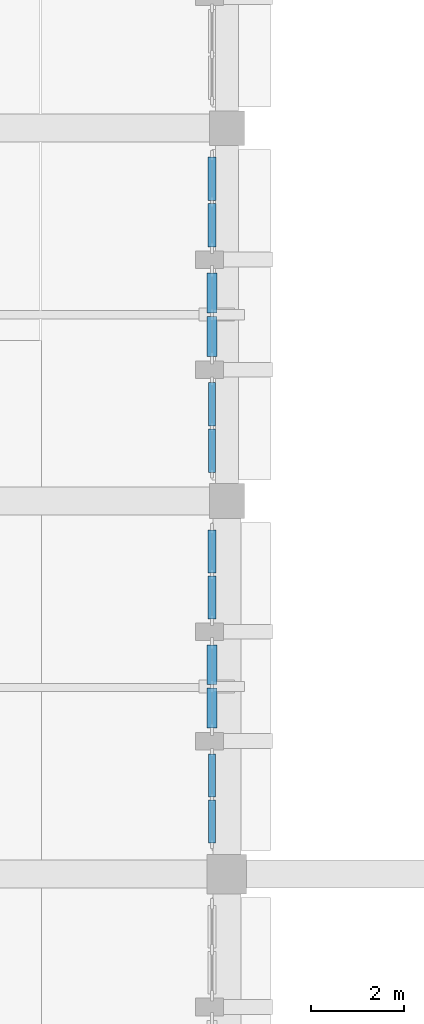
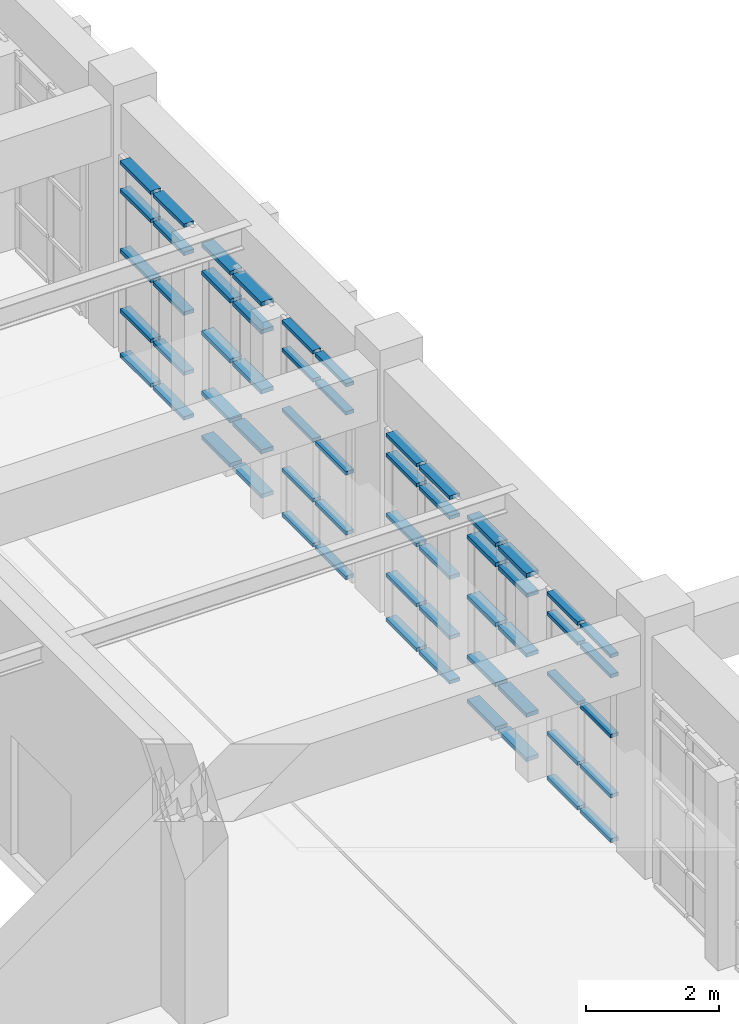
# One storey, part 63 of 155: 60 members, 6 elements without a shape of their own.
"""IFC4 building model written with IfcOpenShell, lengths in metres."""

from ifc_helpers import new_model, si_unit, direction, frame, origin, origin_2d, place, context, subcontext, project, spatial, rectangle, extrude, material, layer, layer_set, material_profile, profile_set, type_object, element, aggregate, save


model = new_model("IFC4")

# Units and contexts
model_context = context("Model", 3, precision=1e-05, world=origin(), true_north=direction((0.0, 1.0)))
body_context = subcontext(model_context, "Body", "Model", "MODEL_VIEW")
ifc_project = project(units=[si_unit("LENGTHUNIT", "METRE"), si_unit("AREAUNIT", "SQUARE_METRE"), si_unit("VOLUMEUNIT", "CUBIC_METRE"), si_unit("PLANEANGLEUNIT", "RADIAN"), si_unit("MASSUNIT", "GRAM", prefix="KILO")], contexts=[model_context])

# Site, building, storey
site_placement = place(None, origin())
site = spatial("IfcSite", under=ifc_project, at=site_placement, CompositionType="ELEMENT")
building_placement = place(site_placement, origin())
building = spatial("IfcBuilding", under=site, at=building_placement, Name="Tazarka Park Arena", CompositionType="ELEMENT")
storey_placement = place(building_placement, frame((0.0, 0.0, 5.39990234375)))
storey = spatial("IfcBuildingStorey", under=building, at=storey_placement, Name="L01", CompositionType="ELEMENT", Elevation=5.39990234375)

# Curtain wall, members
ifc_material_1 = material(Name="Aluminium and low-e glass", Category="aluminium")
ifc_layer_1 = layer(ifc_material_1, 0.179931640625, Name="Aluminium and low-e glass")
ifc_layer_set_1 = layer_set([ifc_layer_1], Name="Aluminium and low-e glass")
curtain_wall_type_1 = type_object("IfcCurtainWallType", Name="CW-24", PredefinedType="NOTDEFINED", material=ifc_layer_set_1)
curtain_wall_1_placement = place(storey_placement, origin())
curtain_wall_1 = element("IfcCurtainWall", 1, at=curtain_wall_1_placement, inside=storey, type_object=curtain_wall_type_1, Name="Curtain Wall CWA-L01-114", PredefinedType="NOTDEFINED")
ifc_material_2 = material(Name="Aluminium 6060-T66", Category="aluminium")
ifc_material_profile_1 = material_profile(ifc_material_2, rectangle(XDim=0.139892578125, YDim=0.06494140625, at=origin_2d()), Name="Aluminium 6060-T66")
ifc_profile_set_1 = profile_set([ifc_material_profile_1], Name="Aluminium 6060-T66")
member_type_1 = type_object("IfcMemberType", Name="CWT-01", PredefinedType="USERDEFINED", material=ifc_profile_set_1)
member_1_placement = place(storey_placement, frame((39.679931640625, 82.57666015625, 0.03271484375), z_axis=(0.0, -1.0, 0.0), x_axis=(1.0, 0.0, 0.0)))
member_1 = element("IfcMember", 2, at=member_1_placement, type_object=member_type_1, Name="CW-24 transom 1.1", ObjectType="TRANSOM", PredefinedType="USERDEFINED", context=body_context, shape_type="SweptSolid", body=[
    extrude(rectangle(XDim=0.139892578125, YDim=0.06494140625, at=origin_2d()), origin(), (0.0, 0.0, 1.0), 0.9208984375),
])
member_2_placement = place(storey_placement, frame((39.679931640625, 82.57666015625, 0.85009765625), z_axis=(0.0, -1.0, 0.0), x_axis=(1.0, 0.0, 0.0)))
member_2 = element("IfcMember", 3, at=member_2_placement, type_object=member_type_1, Name="CW-24 transom 1.2", ObjectType="TRANSOM", PredefinedType="USERDEFINED", context=body_context, shape_type="SweptSolid", body=[
    extrude(rectangle(XDim=0.139892578125, YDim=0.06494140625, at=origin_2d()), origin(), (0.0, 0.0, 1.0), 0.9208984375),
])
member_3_placement = place(storey_placement, frame((39.679931640625, 82.57666015625, 1.9501953125), z_axis=(0.0, -1.0, 0.0), x_axis=(1.0, 0.0, 0.0)))
member_3 = element("IfcMember", 4, at=member_3_placement, type_object=member_type_1, Name="CW-24 transom 1.3", ObjectType="TRANSOM", PredefinedType="USERDEFINED", context=body_context, shape_type="SweptSolid", body=[
    extrude(rectangle(XDim=0.139892578125, YDim=0.06494140625, at=origin_2d()), origin(), (0.0, 0.0, 1.0), 0.9208984375),
])
member_4_placement = place(storey_placement, frame((39.679931640625, 82.57666015625, 3.050048828125), z_axis=(0.0, -1.0, 0.0), x_axis=(1.0, 0.0, 0.0)))
member_4 = element("IfcMember", 5, at=member_4_placement, type_object=member_type_1, Name="CW-24 transom 1.4", ObjectType="TRANSOM", PredefinedType="USERDEFINED", context=body_context, shape_type="SweptSolid", body=[
    extrude(rectangle(XDim=0.139892578125, YDim=0.06494140625, at=origin_2d()), origin(), (0.0, 0.0, 1.0), 0.9208984375),
])
member_5_placement = place(storey_placement, frame((39.679931640625, 82.57666015625, 3.41748046875), z_axis=(0.0, -1.0, 0.0), x_axis=(1.0, 0.0, 0.0)))
member_5 = element("IfcMember", 6, at=member_5_placement, type_object=member_type_1, Name="CW-24 transom 1.5", ObjectType="TRANSOM", PredefinedType="USERDEFINED", context=body_context, shape_type="SweptSolid", body=[
    extrude(rectangle(XDim=0.139892578125, YDim=0.06494140625, at=origin_2d()), origin(), (0.0, 0.0, 1.0), 0.9208984375),
])
member_6_placement = place(storey_placement, frame((39.679931640625, 81.5908203125, 0.03271484375), z_axis=(0.0, -1.0, 0.0), x_axis=(1.0, 0.0, 0.0)))
member_6 = element("IfcMember", 7, at=member_6_placement, type_object=member_type_1, Name="CW-24 transom 2.1", ObjectType="TRANSOM", PredefinedType="USERDEFINED", context=body_context, shape_type="SweptSolid", body=[
    extrude(rectangle(XDim=0.139892578125, YDim=0.06494140625, at=origin_2d()), origin(), (0.0, 0.0, 1.0), 0.9208984375),
])
member_7_placement = place(storey_placement, frame((39.679931640625, 81.5908203125, 0.85009765625), z_axis=(0.0, -1.0, 0.0), x_axis=(1.0, 0.0, 0.0)))
member_7 = element("IfcMember", 8, at=member_7_placement, type_object=member_type_1, Name="CW-24 transom 2.2", ObjectType="TRANSOM", PredefinedType="USERDEFINED", context=body_context, shape_type="SweptSolid", body=[
    extrude(rectangle(XDim=0.139892578125, YDim=0.06494140625, at=origin_2d()), origin(), (0.0, 0.0, 1.0), 0.9208984375),
])
member_8_placement = place(storey_placement, frame((39.679931640625, 81.5908203125, 1.9501953125), z_axis=(0.0, -1.0, 0.0), x_axis=(1.0, 0.0, 0.0)))
member_8 = element("IfcMember", 9, at=member_8_placement, type_object=member_type_1, Name="CW-24 transom 2.3", ObjectType="TRANSOM", PredefinedType="USERDEFINED", context=body_context, shape_type="SweptSolid", body=[
    extrude(rectangle(XDim=0.139892578125, YDim=0.06494140625, at=origin_2d()), origin(), (0.0, 0.0, 1.0), 0.9208984375),
])
member_9_placement = place(storey_placement, frame((39.679931640625, 81.5908203125, 3.050048828125), z_axis=(0.0, -1.0, 0.0), x_axis=(1.0, 0.0, 0.0)))
member_9 = element("IfcMember", 10, at=member_9_placement, type_object=member_type_1, Name="CW-24 transom 2.4", ObjectType="TRANSOM", PredefinedType="USERDEFINED", context=body_context, shape_type="SweptSolid", body=[
    extrude(rectangle(XDim=0.139892578125, YDim=0.06494140625, at=origin_2d()), origin(), (0.0, 0.0, 1.0), 0.9208984375),
])
member_10_placement = place(storey_placement, frame((39.679931640625, 81.5908203125, 3.41748046875), z_axis=(0.0, -1.0, 0.0), x_axis=(1.0, 0.0, 0.0)))
member_10 = element("IfcMember", 11, at=member_10_placement, type_object=member_type_1, Name="CW-24 transom 2.5", ObjectType="TRANSOM", PredefinedType="USERDEFINED", context=body_context, shape_type="SweptSolid", body=[
    extrude(rectangle(XDim=0.139892578125, YDim=0.06494140625, at=origin_2d()), origin(), (0.0, 0.0, 1.0), 0.9208984375),
])
aggregate(curtain_wall_1, [member_1, member_2, member_3, member_4, member_5, member_6, member_7, member_8, member_9, member_10])

ifc_material_3 = material(Name="Aluminium and low-e glass", Category="aluminium")
ifc_layer_2 = layer(ifc_material_3, 0.179931640625, Name="Aluminium and low-e glass")
ifc_layer_set_2 = layer_set([ifc_layer_2], Name="Aluminium and low-e glass")
curtain_wall_type_2 = type_object("IfcCurtainWallType", Name="CW-27", PredefinedType="NOTDEFINED", material=ifc_layer_set_2)
curtain_wall_2_placement = place(storey_placement, origin())
curtain_wall_2 = element("IfcCurtainWall", 12, at=curtain_wall_2_placement, inside=storey, type_object=curtain_wall_type_2, Name="Curtain Wall CWA-L01-117", PredefinedType="NOTDEFINED")
member_11_placement = place(storey_placement, frame((39.679931640625, 90.543212890625, 0.03271484375), z_axis=(0.0, -1.0, 0.0), x_axis=(1.0, 0.0, 0.0)))
member_11 = element("IfcMember", 13, at=member_11_placement, type_object=member_type_1, Name="CW-27 transom 1.1", ObjectType="TRANSOM", PredefinedType="USERDEFINED", context=body_context, shape_type="SweptSolid", body=[
    extrude(rectangle(XDim=0.139892578125, YDim=0.06494140625, at=origin_2d()), origin(), (0.0, 0.0, 1.0), 0.928955078125),
])
member_12_placement = place(storey_placement, frame((39.679931640625, 90.543212890625, 0.85009765625), z_axis=(0.0, -1.0, 0.0), x_axis=(1.0, 0.0, 0.0)))
member_12 = element("IfcMember", 14, at=member_12_placement, type_object=member_type_1, Name="CW-27 transom 1.2", ObjectType="TRANSOM", PredefinedType="USERDEFINED", context=body_context, shape_type="SweptSolid", body=[
    extrude(rectangle(XDim=0.139892578125, YDim=0.06494140625, at=origin_2d()), origin(), (0.0, 0.0, 1.0), 0.928955078125),
])
member_13_placement = place(storey_placement, frame((39.679931640625, 90.543212890625, 1.9501953125), z_axis=(0.0, -1.0, 0.0), x_axis=(1.0, 0.0, 0.0)))
member_13 = element("IfcMember", 15, at=member_13_placement, type_object=member_type_1, Name="CW-27 transom 1.3", ObjectType="TRANSOM", PredefinedType="USERDEFINED", context=body_context, shape_type="SweptSolid", body=[
    extrude(rectangle(XDim=0.139892578125, YDim=0.06494140625, at=origin_2d()), origin(), (0.0, 0.0, 1.0), 0.928955078125),
])
member_14_placement = place(storey_placement, frame((39.679931640625, 90.543212890625, 3.050048828125), z_axis=(0.0, -1.0, 0.0), x_axis=(1.0, 0.0, 0.0)))
member_14 = element("IfcMember", 16, at=member_14_placement, type_object=member_type_1, Name="CW-27 transom 1.4", ObjectType="TRANSOM", PredefinedType="USERDEFINED", context=body_context, shape_type="SweptSolid", body=[
    extrude(rectangle(XDim=0.139892578125, YDim=0.06494140625, at=origin_2d()), origin(), (0.0, 0.0, 1.0), 0.928955078125),
])
member_15_placement = place(storey_placement, frame((39.679931640625, 90.543212890625, 3.567626953125), z_axis=(0.0, -1.0, 0.0), x_axis=(1.0, 0.0, 0.0)))
member_15 = element("IfcMember", 17, at=member_15_placement, type_object=member_type_1, Name="CW-27 transom 1.5", ObjectType="TRANSOM", PredefinedType="USERDEFINED", context=body_context, shape_type="SweptSolid", body=[
    extrude(rectangle(XDim=0.139892578125, YDim=0.06494140625, at=origin_2d()), origin(), (0.0, 0.0, 1.0), 0.928955078125),
])
member_16_placement = place(storey_placement, frame((39.679931640625, 89.549072265625, 0.03271484375), z_axis=(0.0, -1.0, 0.0), x_axis=(1.0, 0.0, 0.0)))
member_16 = element("IfcMember", 18, at=member_16_placement, type_object=member_type_1, Name="CW-27 transom 2.1", ObjectType="TRANSOM", PredefinedType="USERDEFINED", context=body_context, shape_type="SweptSolid", body=[
    extrude(rectangle(XDim=0.139892578125, YDim=0.06494140625, at=origin_2d()), origin(), (0.0, 0.0, 1.0), 0.928955078125),
])
member_17_placement = place(storey_placement, frame((39.679931640625, 89.549072265625, 0.85009765625), z_axis=(0.0, -1.0, 0.0), x_axis=(1.0, 0.0, 0.0)))
member_17 = element("IfcMember", 19, at=member_17_placement, type_object=member_type_1, Name="CW-27 transom 2.2", ObjectType="TRANSOM", PredefinedType="USERDEFINED", context=body_context, shape_type="SweptSolid", body=[
    extrude(rectangle(XDim=0.139892578125, YDim=0.06494140625, at=origin_2d()), origin(), (0.0, 0.0, 1.0), 0.928955078125),
])
member_18_placement = place(storey_placement, frame((39.679931640625, 89.549072265625, 1.9501953125), z_axis=(0.0, -1.0, 0.0), x_axis=(1.0, 0.0, 0.0)))
member_18 = element("IfcMember", 20, at=member_18_placement, type_object=member_type_1, Name="CW-27 transom 2.3", ObjectType="TRANSOM", PredefinedType="USERDEFINED", context=body_context, shape_type="SweptSolid", body=[
    extrude(rectangle(XDim=0.139892578125, YDim=0.06494140625, at=origin_2d()), origin(), (0.0, 0.0, 1.0), 0.928955078125),
])
member_19_placement = place(storey_placement, frame((39.679931640625, 89.549072265625, 3.050048828125), z_axis=(0.0, -1.0, 0.0), x_axis=(1.0, 0.0, 0.0)))
member_19 = element("IfcMember", 21, at=member_19_placement, type_object=member_type_1, Name="CW-27 transom 2.4", ObjectType="TRANSOM", PredefinedType="USERDEFINED", context=body_context, shape_type="SweptSolid", body=[
    extrude(rectangle(XDim=0.139892578125, YDim=0.06494140625, at=origin_2d()), origin(), (0.0, 0.0, 1.0), 0.928955078125),
])
member_20_placement = place(storey_placement, frame((39.679931640625, 89.549072265625, 3.567626953125), z_axis=(0.0, -1.0, 0.0), x_axis=(1.0, 0.0, 0.0)))
member_20 = element("IfcMember", 22, at=member_20_placement, type_object=member_type_1, Name="CW-27 transom 2.5", ObjectType="TRANSOM", PredefinedType="USERDEFINED", context=body_context, shape_type="SweptSolid", body=[
    extrude(rectangle(XDim=0.139892578125, YDim=0.06494140625, at=origin_2d()), origin(), (0.0, 0.0, 1.0), 0.928955078125),
])
aggregate(curtain_wall_2, [member_11, member_12, member_13, member_14, member_15, member_16, member_17, member_18, member_19, member_20])

ifc_material_4 = material(Name="Aluminium and low-e glass", Category="aluminium")
ifc_layer_3 = layer(ifc_material_4, 0.179931640625, Name="Aluminium and low-e glass")
ifc_layer_set_3 = layer_set([ifc_layer_3], Name="Aluminium and low-e glass")
curtain_wall_type_3 = type_object("IfcCurtainWallType", Name="CW-22", PredefinedType="NOTDEFINED", material=ifc_layer_set_3)
curtain_wall_3_placement = place(storey_placement, origin())
curtain_wall_3 = element("IfcCurtainWall", 23, at=curtain_wall_3_placement, inside=storey, type_object=curtain_wall_type_3, Name="Curtain Wall CWA-L01-112", PredefinedType="NOTDEFINED")
ifc_material_5 = material(Name="Aluminium 6060-T66", Category="aluminium")
ifc_material_profile_2 = material_profile(ifc_material_5, rectangle(XDim=0.179931640625, YDim=0.06494140625, at=origin_2d()), Name="Aluminium 6060-T66")
ifc_profile_set_2 = profile_set([ifc_material_profile_2], Name="Aluminium 6060-T66")
member_type_2 = type_object("IfcMemberType", Name="CWT-02", PredefinedType="USERDEFINED", material=ifc_profile_set_2)
member_21_placement = place(storey_placement, frame((39.679931640625, 87.3798828125, 0.03271484375), z_axis=(0.0, -1.0, 0.0), x_axis=(1.0, 0.0, 0.0)))
member_21 = element("IfcMember", 24, at=member_21_placement, type_object=member_type_2, Name="CW-22 transom 1.1", ObjectType="TRANSOM", PredefinedType="USERDEFINED", context=body_context, shape_type="SweptSolid", body=[
    extrude(rectangle(XDim=0.179931640625, YDim=0.06494140625, at=origin_2d()), origin(), (0.0, 0.0, 1.0), 0.920654296875),
])
member_22_placement = place(storey_placement, frame((39.679931640625, 87.3798828125, 0.85009765625), z_axis=(0.0, -1.0, 0.0), x_axis=(1.0, 0.0, 0.0)))
member_22 = element("IfcMember", 25, at=member_22_placement, type_object=member_type_2, Name="CW-22 transom 1.2", ObjectType="TRANSOM", PredefinedType="USERDEFINED", context=body_context, shape_type="SweptSolid", body=[
    extrude(rectangle(XDim=0.179931640625, YDim=0.06494140625, at=origin_2d()), origin(), (0.0, 0.0, 1.0), 0.920654296875),
])
member_23_placement = place(storey_placement, frame((39.679931640625, 87.3798828125, 1.9501953125), z_axis=(0.0, -1.0, 0.0), x_axis=(1.0, 0.0, 0.0)))
member_23 = element("IfcMember", 26, at=member_23_placement, type_object=member_type_2, Name="CW-22 transom 1.3", ObjectType="TRANSOM", PredefinedType="USERDEFINED", context=body_context, shape_type="SweptSolid", body=[
    extrude(rectangle(XDim=0.179931640625, YDim=0.06494140625, at=origin_2d()), origin(), (0.0, 0.0, 1.0), 0.920654296875),
])
member_24_placement = place(storey_placement, frame((39.679931640625, 87.3798828125, 3.050048828125), z_axis=(0.0, -1.0, 0.0), x_axis=(1.0, 0.0, 0.0)))
member_24 = element("IfcMember", 27, at=member_24_placement, type_object=member_type_2, Name="CW-22 transom 1.4", ObjectType="TRANSOM", PredefinedType="USERDEFINED", context=body_context, shape_type="SweptSolid", body=[
    extrude(rectangle(XDim=0.179931640625, YDim=0.06494140625, at=origin_2d()), origin(), (0.0, 0.0, 1.0), 0.920654296875),
])
member_25_placement = place(storey_placement, frame((39.679931640625, 87.3798828125, 3.41748046875), z_axis=(0.0, -1.0, 0.0), x_axis=(1.0, 0.0, 0.0)))
member_25 = element("IfcMember", 28, at=member_25_placement, type_object=member_type_2, Name="CW-22 transom 1.5", ObjectType="TRANSOM", PredefinedType="USERDEFINED", context=body_context, shape_type="SweptSolid", body=[
    extrude(rectangle(XDim=0.179931640625, YDim=0.06494140625, at=origin_2d()), origin(), (0.0, 0.0, 1.0), 0.920654296875),
])
member_26_placement = place(storey_placement, frame((39.679931640625, 86.39404296875, 0.03271484375), z_axis=(0.0, -1.0, 0.0), x_axis=(1.0, 0.0, 0.0)))
member_26 = element("IfcMember", 29, at=member_26_placement, type_object=member_type_2, Name="CW-22 transom 2.1", ObjectType="TRANSOM", PredefinedType="USERDEFINED", context=body_context, shape_type="SweptSolid", body=[
    extrude(rectangle(XDim=0.179931640625, YDim=0.06494140625, at=origin_2d()), origin(), (0.0, 0.0, 1.0), 0.920654296875),
])
member_27_placement = place(storey_placement, frame((39.679931640625, 86.39404296875, 0.85009765625), z_axis=(0.0, -1.0, 0.0), x_axis=(1.0, 0.0, 0.0)))
member_27 = element("IfcMember", 30, at=member_27_placement, type_object=member_type_2, Name="CW-22 transom 2.2", ObjectType="TRANSOM", PredefinedType="USERDEFINED", context=body_context, shape_type="SweptSolid", body=[
    extrude(rectangle(XDim=0.179931640625, YDim=0.06494140625, at=origin_2d()), origin(), (0.0, 0.0, 1.0), 0.920654296875),
])
member_28_placement = place(storey_placement, frame((39.679931640625, 86.39404296875, 1.9501953125), z_axis=(0.0, -1.0, 0.0), x_axis=(1.0, 0.0, 0.0)))
member_28 = element("IfcMember", 31, at=member_28_placement, type_object=member_type_2, Name="CW-22 transom 2.3", ObjectType="TRANSOM", PredefinedType="USERDEFINED", context=body_context, shape_type="SweptSolid", body=[
    extrude(rectangle(XDim=0.179931640625, YDim=0.06494140625, at=origin_2d()), origin(), (0.0, 0.0, 1.0), 0.920654296875),
])
member_29_placement = place(storey_placement, frame((39.679931640625, 86.39404296875, 3.050048828125), z_axis=(0.0, -1.0, 0.0), x_axis=(1.0, 0.0, 0.0)))
member_29 = element("IfcMember", 32, at=member_29_placement, type_object=member_type_2, Name="CW-22 transom 2.4", ObjectType="TRANSOM", PredefinedType="USERDEFINED", context=body_context, shape_type="SweptSolid", body=[
    extrude(rectangle(XDim=0.179931640625, YDim=0.06494140625, at=origin_2d()), origin(), (0.0, 0.0, 1.0), 0.920654296875),
])
member_30_placement = place(storey_placement, frame((39.679931640625, 86.39404296875, 3.41748046875), z_axis=(0.0, -1.0, 0.0), x_axis=(1.0, 0.0, 0.0)))
member_30 = element("IfcMember", 33, at=member_30_placement, type_object=member_type_2, Name="CW-22 transom 2.5", ObjectType="TRANSOM", PredefinedType="USERDEFINED", context=body_context, shape_type="SweptSolid", body=[
    extrude(rectangle(XDim=0.179931640625, YDim=0.06494140625, at=origin_2d()), origin(), (0.0, 0.0, 1.0), 0.920654296875),
])
aggregate(curtain_wall_3, [member_21, member_22, member_23, member_24, member_25, member_26, member_27, member_28, member_29, member_30])

ifc_material_6 = material(Name="Aluminium and low-e glass", Category="aluminium")
ifc_layer_4 = layer(ifc_material_6, 0.179931640625, Name="Aluminium and low-e glass")
ifc_layer_set_4 = layer_set([ifc_layer_4], Name="Aluminium and low-e glass")
curtain_wall_type_4 = type_object("IfcCurtainWallType", Name="CW-25", PredefinedType="NOTDEFINED", material=ifc_layer_set_4)
curtain_wall_4_placement = place(storey_placement, origin())
curtain_wall_4 = element("IfcCurtainWall", 34, at=curtain_wall_4_placement, inside=storey, type_object=curtain_wall_type_4, Name="Curtain Wall CWA-L01-115", PredefinedType="NOTDEFINED")
member_31_placement = place(storey_placement, frame((39.679931640625, 95.3798828125, 0.03271484375), z_axis=(0.0, -1.0, 0.0), x_axis=(1.0, 0.0, 0.0)))
member_31 = element("IfcMember", 35, at=member_31_placement, type_object=member_type_2, Name="CW-25 transom 1.1", ObjectType="TRANSOM", PredefinedType="USERDEFINED", context=body_context, shape_type="SweptSolid", body=[
    extrude(rectangle(XDim=0.179931640625, YDim=0.06494140625, at=origin_2d()), origin(), (0.0, 0.0, 1.0), 0.928955078125),
])
member_32_placement = place(storey_placement, frame((39.679931640625, 95.3798828125, 0.85009765625), z_axis=(0.0, -1.0, 0.0), x_axis=(1.0, 0.0, 0.0)))
member_32 = element("IfcMember", 36, at=member_32_placement, type_object=member_type_2, Name="CW-25 transom 1.2", ObjectType="TRANSOM", PredefinedType="USERDEFINED", context=body_context, shape_type="SweptSolid", body=[
    extrude(rectangle(XDim=0.179931640625, YDim=0.06494140625, at=origin_2d()), origin(), (0.0, 0.0, 1.0), 0.928955078125),
])
member_33_placement = place(storey_placement, frame((39.679931640625, 95.3798828125, 1.9501953125), z_axis=(0.0, -1.0, 0.0), x_axis=(1.0, 0.0, 0.0)))
member_33 = element("IfcMember", 37, at=member_33_placement, type_object=member_type_2, Name="CW-25 transom 1.3", ObjectType="TRANSOM", PredefinedType="USERDEFINED", context=body_context, shape_type="SweptSolid", body=[
    extrude(rectangle(XDim=0.179931640625, YDim=0.06494140625, at=origin_2d()), origin(), (0.0, 0.0, 1.0), 0.928955078125),
])
member_34_placement = place(storey_placement, frame((39.679931640625, 95.3798828125, 3.050048828125), z_axis=(0.0, -1.0, 0.0), x_axis=(1.0, 0.0, 0.0)))
member_34 = element("IfcMember", 38, at=member_34_placement, type_object=member_type_2, Name="CW-25 transom 1.4", ObjectType="TRANSOM", PredefinedType="USERDEFINED", context=body_context, shape_type="SweptSolid", body=[
    extrude(rectangle(XDim=0.179931640625, YDim=0.06494140625, at=origin_2d()), origin(), (0.0, 0.0, 1.0), 0.928955078125),
])
member_35_placement = place(storey_placement, frame((39.679931640625, 95.3798828125, 3.567626953125), z_axis=(0.0, -1.0, 0.0), x_axis=(1.0, 0.0, 0.0)))
member_35 = element("IfcMember", 39, at=member_35_placement, type_object=member_type_2, Name="CW-25 transom 1.5", ObjectType="TRANSOM", PredefinedType="USERDEFINED", context=body_context, shape_type="SweptSolid", body=[
    extrude(rectangle(XDim=0.179931640625, YDim=0.06494140625, at=origin_2d()), origin(), (0.0, 0.0, 1.0), 0.928955078125),
])
member_36_placement = place(storey_placement, frame((39.679931640625, 94.3857421875, 0.03271484375), z_axis=(0.0, -1.0, 0.0), x_axis=(1.0, 0.0, 0.0)))
member_36 = element("IfcMember", 40, at=member_36_placement, type_object=member_type_2, Name="CW-25 transom 2.1", ObjectType="TRANSOM", PredefinedType="USERDEFINED", context=body_context, shape_type="SweptSolid", body=[
    extrude(rectangle(XDim=0.179931640625, YDim=0.06494140625, at=origin_2d()), origin(), (0.0, 0.0, 1.0), 0.928955078125),
])
member_37_placement = place(storey_placement, frame((39.679931640625, 94.3857421875, 0.85009765625), z_axis=(0.0, -1.0, 0.0), x_axis=(1.0, 0.0, 0.0)))
member_37 = element("IfcMember", 41, at=member_37_placement, type_object=member_type_2, Name="CW-25 transom 2.2", ObjectType="TRANSOM", PredefinedType="USERDEFINED", context=body_context, shape_type="SweptSolid", body=[
    extrude(rectangle(XDim=0.179931640625, YDim=0.06494140625, at=origin_2d()), origin(), (0.0, 0.0, 1.0), 0.928955078125),
])
member_38_placement = place(storey_placement, frame((39.679931640625, 94.3857421875, 1.9501953125), z_axis=(0.0, -1.0, 0.0), x_axis=(1.0, 0.0, 0.0)))
member_38 = element("IfcMember", 42, at=member_38_placement, type_object=member_type_2, Name="CW-25 transom 2.3", ObjectType="TRANSOM", PredefinedType="USERDEFINED", context=body_context, shape_type="SweptSolid", body=[
    extrude(rectangle(XDim=0.179931640625, YDim=0.06494140625, at=origin_2d()), origin(), (0.0, 0.0, 1.0), 0.928955078125),
])
member_39_placement = place(storey_placement, frame((39.679931640625, 94.3857421875, 3.050048828125), z_axis=(0.0, -1.0, 0.0), x_axis=(1.0, 0.0, 0.0)))
member_39 = element("IfcMember", 43, at=member_39_placement, type_object=member_type_2, Name="CW-25 transom 2.4", ObjectType="TRANSOM", PredefinedType="USERDEFINED", context=body_context, shape_type="SweptSolid", body=[
    extrude(rectangle(XDim=0.179931640625, YDim=0.06494140625, at=origin_2d()), origin(), (0.0, 0.0, 1.0), 0.928955078125),
])
member_40_placement = place(storey_placement, frame((39.679931640625, 94.3857421875, 3.567626953125), z_axis=(0.0, -1.0, 0.0), x_axis=(1.0, 0.0, 0.0)))
member_40 = element("IfcMember", 44, at=member_40_placement, type_object=member_type_2, Name="CW-25 transom 2.5", ObjectType="TRANSOM", PredefinedType="USERDEFINED", context=body_context, shape_type="SweptSolid", body=[
    extrude(rectangle(XDim=0.179931640625, YDim=0.06494140625, at=origin_2d()), origin(), (0.0, 0.0, 1.0), 0.928955078125),
])
aggregate(curtain_wall_4, [member_31, member_32, member_33, member_34, member_35, member_36, member_37, member_38, member_39, member_40])

ifc_material_7 = material(Name="Aluminium and low-e glass", Category="aluminium")
ifc_layer_5 = layer(ifc_material_7, 0.179931640625, Name="Aluminium and low-e glass")
ifc_layer_set_5 = layer_set([ifc_layer_5], Name="Aluminium and low-e glass")
curtain_wall_type_5 = type_object("IfcCurtainWallType", Name="CW-23", PredefinedType="NOTDEFINED", material=ifc_layer_set_5)
curtain_wall_5_placement = place(storey_placement, origin())
curtain_wall_5 = element("IfcCurtainWall", 45, at=curtain_wall_5_placement, inside=storey, type_object=curtain_wall_type_5, Name="Curtain Wall CWA-L01-113", PredefinedType="NOTDEFINED")
ifc_material_8 = material(Name="Aluminium 6060-T66", Category="aluminium")
ifc_material_profile_3 = material_profile(ifc_material_8, rectangle(XDim=0.2099609375, YDim=0.074951171875, at=origin_2d()), Name="Aluminium 6060-T66")
ifc_profile_set_3 = profile_set([ifc_material_profile_3], Name="Aluminium 6060-T66")
member_type_3 = type_object("IfcMemberType", Name="CWT-03", PredefinedType="USERDEFINED", material=ifc_profile_set_3)
member_41_placement = place(storey_placement, frame((39.679931640625, 84.913330078125, 0.03759765625), z_axis=(0.0, -1.0, 0.0), x_axis=(1.0, 0.0, 0.0)))
member_41 = element("IfcMember", 46, at=member_41_placement, type_object=member_type_3, Name="CW-23 transom 1.1", ObjectType="TRANSOM", PredefinedType="USERDEFINED", context=body_context, shape_type="SweptSolid", body=[
    extrude(rectangle(XDim=0.2099609375, YDim=0.074951171875, at=origin_2d()), origin(), (0.0, 0.0, 1.0), 0.850830078125),
])
member_42_placement = place(storey_placement, frame((39.679931640625, 84.913330078125, 0.85009765625), z_axis=(0.0, -1.0, 0.0), x_axis=(1.0, 0.0, 0.0)))
member_42 = element("IfcMember", 47, at=member_42_placement, type_object=member_type_3, Name="CW-23 transom 1.2", ObjectType="TRANSOM", PredefinedType="USERDEFINED", context=body_context, shape_type="SweptSolid", body=[
    extrude(rectangle(XDim=0.2099609375, YDim=0.074951171875, at=origin_2d()), origin(), (0.0, 0.0, 1.0), 0.850830078125),
])
member_43_placement = place(storey_placement, frame((39.679931640625, 84.913330078125, 1.9501953125), z_axis=(0.0, -1.0, 0.0), x_axis=(1.0, 0.0, 0.0)))
member_43 = element("IfcMember", 48, at=member_43_placement, type_object=member_type_3, Name="CW-23 transom 1.3", ObjectType="TRANSOM", PredefinedType="USERDEFINED", context=body_context, shape_type="SweptSolid", body=[
    extrude(rectangle(XDim=0.2099609375, YDim=0.074951171875, at=origin_2d()), origin(), (0.0, 0.0, 1.0), 0.850830078125),
])
member_44_placement = place(storey_placement, frame((39.679931640625, 84.913330078125, 3.050048828125), z_axis=(0.0, -1.0, 0.0), x_axis=(1.0, 0.0, 0.0)))
member_44 = element("IfcMember", 49, at=member_44_placement, type_object=member_type_3, Name="CW-23 transom 1.4", ObjectType="TRANSOM", PredefinedType="USERDEFINED", context=body_context, shape_type="SweptSolid", body=[
    extrude(rectangle(XDim=0.2099609375, YDim=0.074951171875, at=origin_2d()), origin(), (0.0, 0.0, 1.0), 0.850830078125),
])
member_45_placement = place(storey_placement, frame((39.679931640625, 84.913330078125, 3.41259765625), z_axis=(0.0, -1.0, 0.0), x_axis=(1.0, 0.0, 0.0)))
member_45 = element("IfcMember", 50, at=member_45_placement, type_object=member_type_3, Name="CW-23 transom 1.5", ObjectType="TRANSOM", PredefinedType="USERDEFINED", context=body_context, shape_type="SweptSolid", body=[
    extrude(rectangle(XDim=0.2099609375, YDim=0.074951171875, at=origin_2d()), origin(), (0.0, 0.0, 1.0), 0.850830078125),
])
member_46_placement = place(storey_placement, frame((39.679931640625, 83.987548828125, 0.03759765625), z_axis=(0.0, -1.0, 0.0), x_axis=(1.0, 0.0, 0.0)))
member_46 = element("IfcMember", 51, at=member_46_placement, type_object=member_type_3, Name="CW-23 transom 2.1", ObjectType="TRANSOM", PredefinedType="USERDEFINED", context=body_context, shape_type="SweptSolid", body=[
    extrude(rectangle(XDim=0.2099609375, YDim=0.074951171875, at=origin_2d()), origin(), (0.0, 0.0, 1.0), 0.850830078125),
])
member_47_placement = place(storey_placement, frame((39.679931640625, 83.987548828125, 0.85009765625), z_axis=(0.0, -1.0, 0.0), x_axis=(1.0, 0.0, 0.0)))
member_47 = element("IfcMember", 52, at=member_47_placement, type_object=member_type_3, Name="CW-23 transom 2.2", ObjectType="TRANSOM", PredefinedType="USERDEFINED", context=body_context, shape_type="SweptSolid", body=[
    extrude(rectangle(XDim=0.2099609375, YDim=0.074951171875, at=origin_2d()), origin(), (0.0, 0.0, 1.0), 0.850830078125),
])
member_48_placement = place(storey_placement, frame((39.679931640625, 83.987548828125, 1.9501953125), z_axis=(0.0, -1.0, 0.0), x_axis=(1.0, 0.0, 0.0)))
member_48 = element("IfcMember", 53, at=member_48_placement, type_object=member_type_3, Name="CW-23 transom 2.3", ObjectType="TRANSOM", PredefinedType="USERDEFINED", context=body_context, shape_type="SweptSolid", body=[
    extrude(rectangle(XDim=0.2099609375, YDim=0.074951171875, at=origin_2d()), origin(), (0.0, 0.0, 1.0), 0.850830078125),
])
member_49_placement = place(storey_placement, frame((39.679931640625, 83.987548828125, 3.050048828125), z_axis=(0.0, -1.0, 0.0), x_axis=(1.0, 0.0, 0.0)))
member_49 = element("IfcMember", 54, at=member_49_placement, type_object=member_type_3, Name="CW-23 transom 2.4", ObjectType="TRANSOM", PredefinedType="USERDEFINED", context=body_context, shape_type="SweptSolid", body=[
    extrude(rectangle(XDim=0.2099609375, YDim=0.074951171875, at=origin_2d()), origin(), (0.0, 0.0, 1.0), 0.850830078125),
])
member_50_placement = place(storey_placement, frame((39.679931640625, 83.987548828125, 3.41259765625), z_axis=(0.0, -1.0, 0.0), x_axis=(1.0, 0.0, 0.0)))
member_50 = element("IfcMember", 55, at=member_50_placement, type_object=member_type_3, Name="CW-23 transom 2.5", ObjectType="TRANSOM", PredefinedType="USERDEFINED", context=body_context, shape_type="SweptSolid", body=[
    extrude(rectangle(XDim=0.2099609375, YDim=0.074951171875, at=origin_2d()), origin(), (0.0, 0.0, 1.0), 0.850830078125),
])
aggregate(curtain_wall_5, [member_41, member_42, member_43, member_44, member_45, member_46, member_47, member_48, member_49, member_50])

ifc_material_9 = material(Name="Aluminium and low-e glass", Category="aluminium")
ifc_layer_6 = layer(ifc_material_9, 0.179931640625, Name="Aluminium and low-e glass")
ifc_layer_set_6 = layer_set([ifc_layer_6], Name="Aluminium and low-e glass")
curtain_wall_type_6 = type_object("IfcCurtainWallType", Name="CW-26", PredefinedType="NOTDEFINED", material=ifc_layer_set_6)
curtain_wall_6_placement = place(storey_placement, origin())
curtain_wall_6 = element("IfcCurtainWall", 56, at=curtain_wall_6_placement, inside=storey, type_object=curtain_wall_type_6, Name="Curtain Wall CWA-L01-116", PredefinedType="NOTDEFINED")
member_51_placement = place(storey_placement, frame((39.679931640625, 92.896728515625, 0.03759765625), z_axis=(0.0, -1.0, 0.0), x_axis=(1.0, 0.0, 0.0)))
member_51 = element("IfcMember", 57, at=member_51_placement, type_object=member_type_3, Name="CW-26 transom 1.1", ObjectType="TRANSOM", PredefinedType="USERDEFINED", context=body_context, shape_type="SweptSolid", body=[
    extrude(rectangle(XDim=0.2099609375, YDim=0.074951171875, at=origin_2d()), origin(), (0.0, 0.0, 1.0), 0.859130859375),
])
member_52_placement = place(storey_placement, frame((39.679931640625, 92.896728515625, 0.85009765625), z_axis=(0.0, -1.0, 0.0), x_axis=(1.0, 0.0, 0.0)))
member_52 = element("IfcMember", 58, at=member_52_placement, type_object=member_type_3, Name="CW-26 transom 1.2", ObjectType="TRANSOM", PredefinedType="USERDEFINED", context=body_context, shape_type="SweptSolid", body=[
    extrude(rectangle(XDim=0.2099609375, YDim=0.074951171875, at=origin_2d()), origin(), (0.0, 0.0, 1.0), 0.859130859375),
])
member_53_placement = place(storey_placement, frame((39.679931640625, 92.896728515625, 1.9501953125), z_axis=(0.0, -1.0, 0.0), x_axis=(1.0, 0.0, 0.0)))
member_53 = element("IfcMember", 59, at=member_53_placement, type_object=member_type_3, Name="CW-26 transom 1.3", ObjectType="TRANSOM", PredefinedType="USERDEFINED", context=body_context, shape_type="SweptSolid", body=[
    extrude(rectangle(XDim=0.2099609375, YDim=0.074951171875, at=origin_2d()), origin(), (0.0, 0.0, 1.0), 0.859130859375),
])
member_54_placement = place(storey_placement, frame((39.679931640625, 92.896728515625, 3.050048828125), z_axis=(0.0, -1.0, 0.0), x_axis=(1.0, 0.0, 0.0)))
member_54 = element("IfcMember", 60, at=member_54_placement, type_object=member_type_3, Name="CW-26 transom 1.4", ObjectType="TRANSOM", PredefinedType="USERDEFINED", context=body_context, shape_type="SweptSolid", body=[
    extrude(rectangle(XDim=0.2099609375, YDim=0.074951171875, at=origin_2d()), origin(), (0.0, 0.0, 1.0), 0.859130859375),
])
member_55_placement = place(storey_placement, frame((39.679931640625, 92.896728515625, 3.5625), z_axis=(0.0, -1.0, 0.0), x_axis=(1.0, 0.0, 0.0)))
member_55 = element("IfcMember", 61, at=member_55_placement, type_object=member_type_3, Name="CW-26 transom 1.5", ObjectType="TRANSOM", PredefinedType="USERDEFINED", context=body_context, shape_type="SweptSolid", body=[
    extrude(rectangle(XDim=0.2099609375, YDim=0.074951171875, at=origin_2d()), origin(), (0.0, 0.0, 1.0), 0.859130859375),
])
member_56_placement = place(storey_placement, frame((39.679931640625, 91.96240234375, 0.03759765625), z_axis=(0.0, -1.0, 0.0), x_axis=(1.0, 0.0, 0.0)))
member_56 = element("IfcMember", 62, at=member_56_placement, type_object=member_type_3, Name="CW-26 transom 2.1", ObjectType="TRANSOM", PredefinedType="USERDEFINED", context=body_context, shape_type="SweptSolid", body=[
    extrude(rectangle(XDim=0.2099609375, YDim=0.074951171875, at=origin_2d()), origin(), (0.0, 0.0, 1.0), 0.859130859375),
])
member_57_placement = place(storey_placement, frame((39.679931640625, 91.96240234375, 0.85009765625), z_axis=(0.0, -1.0, 0.0), x_axis=(1.0, 0.0, 0.0)))
member_57 = element("IfcMember", 63, at=member_57_placement, type_object=member_type_3, Name="CW-26 transom 2.2", ObjectType="TRANSOM", PredefinedType="USERDEFINED", context=body_context, shape_type="SweptSolid", body=[
    extrude(rectangle(XDim=0.2099609375, YDim=0.074951171875, at=origin_2d()), origin(), (0.0, 0.0, 1.0), 0.859130859375),
])
member_58_placement = place(storey_placement, frame((39.679931640625, 91.96240234375, 1.9501953125), z_axis=(0.0, -1.0, 0.0), x_axis=(1.0, 0.0, 0.0)))
member_58 = element("IfcMember", 64, at=member_58_placement, type_object=member_type_3, Name="CW-26 transom 2.3", ObjectType="TRANSOM", PredefinedType="USERDEFINED", context=body_context, shape_type="SweptSolid", body=[
    extrude(rectangle(XDim=0.2099609375, YDim=0.074951171875, at=origin_2d()), origin(), (0.0, 0.0, 1.0), 0.859130859375),
])
member_59_placement = place(storey_placement, frame((39.679931640625, 91.96240234375, 3.050048828125), z_axis=(0.0, -1.0, 0.0), x_axis=(1.0, 0.0, 0.0)))
member_59 = element("IfcMember", 65, at=member_59_placement, type_object=member_type_3, Name="CW-26 transom 2.4", ObjectType="TRANSOM", PredefinedType="USERDEFINED", context=body_context, shape_type="SweptSolid", body=[
    extrude(rectangle(XDim=0.2099609375, YDim=0.074951171875, at=origin_2d()), origin(), (0.0, 0.0, 1.0), 0.859130859375),
])
member_60_placement = place(storey_placement, frame((39.679931640625, 91.96240234375, 3.5625), z_axis=(0.0, -1.0, 0.0), x_axis=(1.0, 0.0, 0.0)))
member_60 = element("IfcMember", 66, at=member_60_placement, type_object=member_type_3, Name="CW-26 transom 2.5", ObjectType="TRANSOM", PredefinedType="USERDEFINED", context=body_context, shape_type="SweptSolid", body=[
    extrude(rectangle(XDim=0.2099609375, YDim=0.074951171875, at=origin_2d()), origin(), (0.0, 0.0, 1.0), 0.859130859375),
])
aggregate(curtain_wall_6, [member_51, member_52, member_53, member_54, member_55, member_56, member_57, member_58, member_59, member_60])

save(model, "model.ifc")
